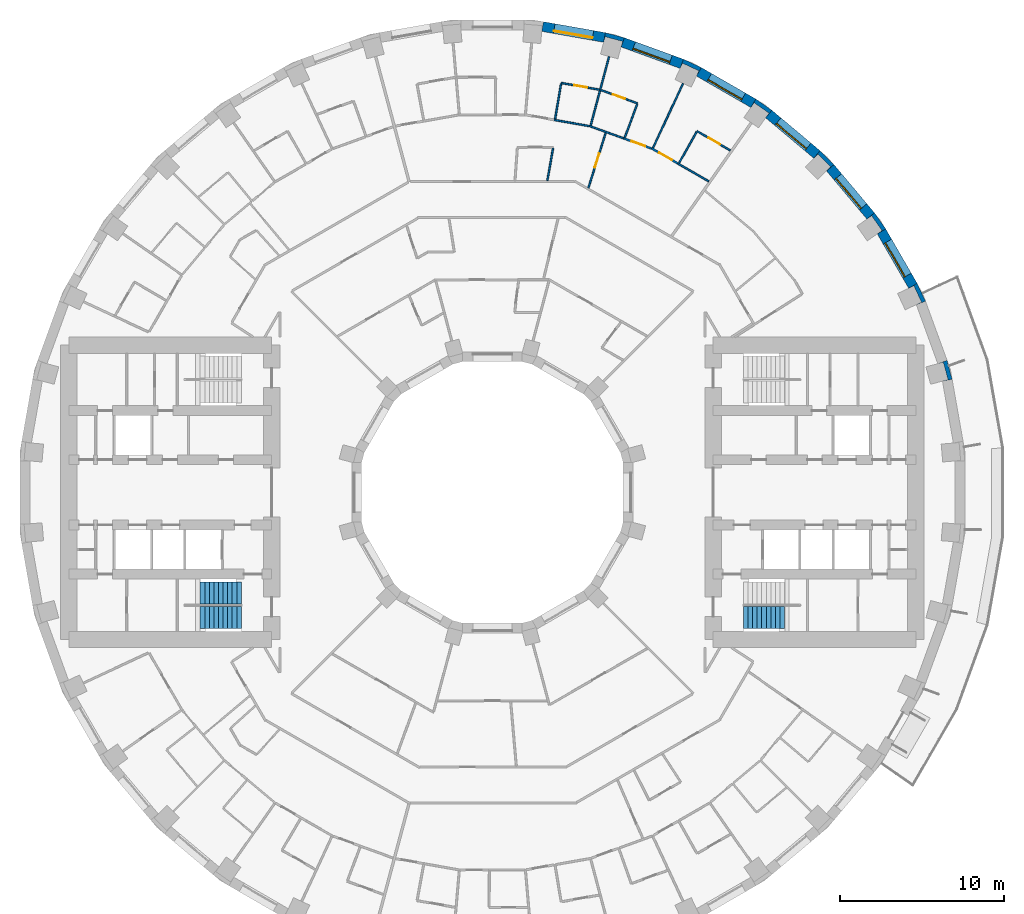
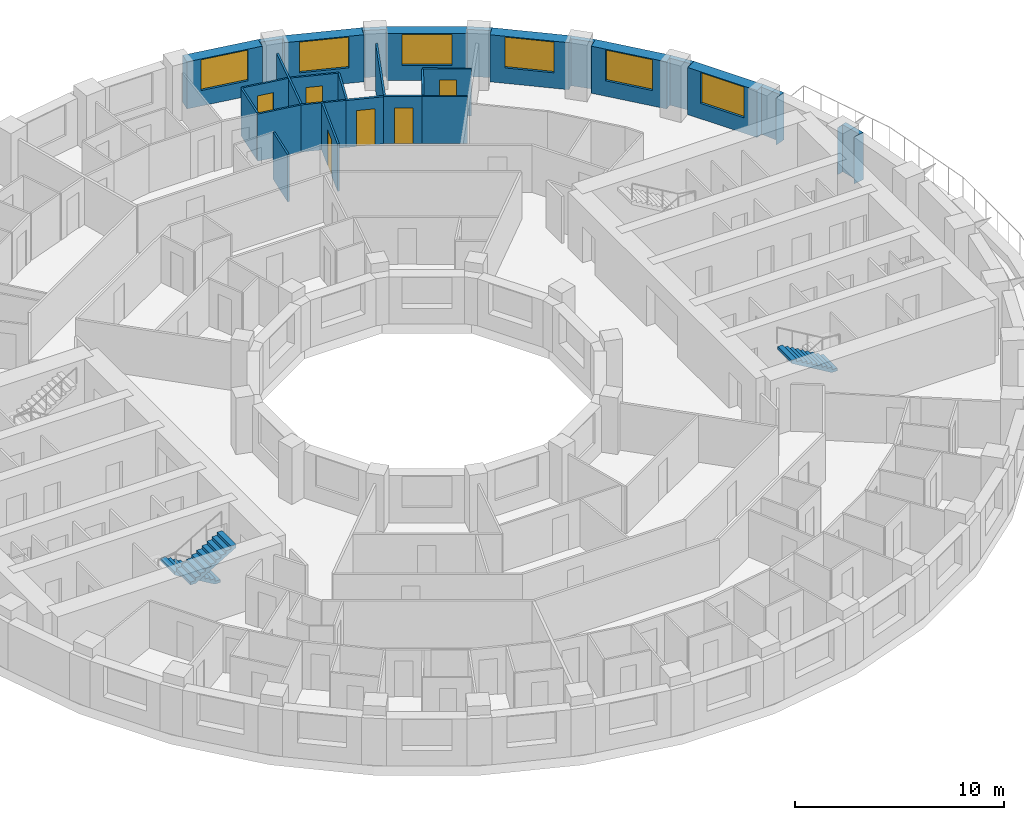
# One storey, part 12 of 14: 28 walls, 6 doors, 6 windows, 3 stair flights, 12 openings, 2 elements without a shape of their own.
"""IFC4 building model written with IfcOpenShell, lengths in metres."""

from ifc_helpers import new_model, si_unit, direction, frame, frame_2d, origin, place, context, subcontext, project, spatial, polyline, rectangle, outline, extrude, material, layer, layer_set, type_object, element, fill, aggregate, save


model = new_model("IFC4")

# Units and contexts
model_context = context("Model", 3, precision=1e-05, world=origin(), true_north=direction((0.0, 1.0)))
body_context = subcontext(model_context, "Body", "Model", "MODEL_VIEW")
ifc_project = project(units=[si_unit("LENGTHUNIT", "METRE"), si_unit("AREAUNIT", "SQUARE_METRE"), si_unit("VOLUMEUNIT", "CUBIC_METRE"), si_unit("PLANEANGLEUNIT", "RADIAN"), si_unit("MASSUNIT", "GRAM", prefix="KILO")], contexts=[model_context])

# Site, building, storey
site_placement = place(None, origin())
site = spatial("IfcSite", under=ifc_project, at=site_placement, CompositionType="ELEMENT")
building_placement = place(site_placement, origin())
building = spatial("IfcBuilding", under=site, at=building_placement, Name="Saqina Gate Tower", CompositionType="ELEMENT")
storey_placement = place(building_placement, frame((0.0, 0.0, 46.10009765625)))
storey = spatial("IfcBuildingStorey", under=building, at=storey_placement, Name="L12", CompositionType="ELEMENT", Elevation=46.10009765625)

# Walls
ifc_material_1 = material(Name="Brick masonry (red)", Category="masonry")
wall_type_1 = type_object("IfcWallType", Name="BRICK PIER COPING RED", PredefinedType="SOLIDWALL", material=ifc_material_1)
wall_1_placement = place(storey_placement, origin())
element("IfcWall", 1, at=wall_1_placement, inside=storey, type_object=wall_type_1, Name="Pier cap L12 column 2", PredefinedType="SOLIDWALL", context=body_context, shape_type="SweptSolid", body=[
    extrude(outline(polyline([(28.11669921875, 6.910400390625), (27.80517578125, 8.073974609375), (27.2412109375, 7.86865234375), (27.57958984375, 7.95947265625), (27.864501953125, 6.896728515625), (27.52587890625, 6.80615234375), (28.11669921875, 6.910400390625)])), origin(), (0.0, 0.0, 1.0), 2.75),
])
wall_2_placement = place(storey_placement, origin())
element("IfcWall", 2, at=wall_2_placement, inside=storey, type_object=wall_type_1, Name="Pier cap L12 column 3", PredefinedType="SOLIDWALL", context=body_context, shape_type="SweptSolid", body=[
    extrude(outline(polyline([(25.980712890625, 12.779541015625), (25.4609375, 12.4794921875), (25.778564453125, 12.627685546875), (26.243408203125, 11.630615234375), (25.92578125, 11.482666015625), (26.48974609375, 11.687744140625), (25.980712890625, 12.779541015625)])), origin(), (0.0, 0.0, 1.0), 2.75),
])
wall_3_placement = place(storey_placement, origin())
element("IfcWall", 3, at=wall_3_placement, inside=storey, type_object=wall_type_1, Name="Pier cap L12 column 4", PredefinedType="SOLIDWALL", context=body_context, shape_type="SweptSolid", body=[
    extrude(outline(polyline([(24.0576171875, 16.110107421875), (23.36669921875, 17.096923828125), (22.9072265625, 16.711181640625), (23.194091796875, 16.912109375), (23.8251953125, 16.010986328125), (23.5380859375, 15.81005859375), (24.0576171875, 16.110107421875)])), origin(), (0.0, 0.0, 1.0), 2.75),
])
wall_4_placement = place(storey_placement, origin())
element("IfcWall", 4, at=wall_4_placement, inside=storey, type_object=wall_type_1, Name="Pier cap L12 column 5", PredefinedType="SOLIDWALL", context=body_context, shape_type="SweptSolid", body=[
    extrude(outline(polyline([(20.04296875, 20.894775390625), (19.6572265625, 20.43505859375), (19.905029296875, 20.682861328125), (20.682861328125, 19.905029296875), (20.43505859375, 19.6572265625), (20.894775390625, 20.04296875), (20.04296875, 20.894775390625)])), origin(), (0.0, 0.0, 1.0), 2.75),
])
wall_5_placement = place(storey_placement, origin())
element("IfcWall", 5, at=wall_5_placement, inside=storey, type_object=wall_type_1, Name="Pier cap L12 column 6", PredefinedType="SOLIDWALL", context=body_context, shape_type="SweptSolid", body=[
    extrude(outline(polyline([(17.096923828125, 23.36669921875), (16.110107421875, 24.0576171875), (15.81005859375, 23.5380859375), (16.010986328125, 23.8251953125), (16.912109375, 23.194091796875), (16.711181640625, 22.9072265625), (17.096923828125, 23.36669921875)])), origin(), (0.0, 0.0, 1.0), 2.75),
])
wall_6_placement = place(storey_placement, origin())
element("IfcWall", 6, at=wall_6_placement, inside=storey, type_object=wall_type_1, Name="Pier cap L12 column 7", PredefinedType="SOLIDWALL", context=body_context, shape_type="SweptSolid", body=[
    extrude(outline(polyline([(11.687744140625, 26.48974609375), (11.482666015625, 25.92578125), (11.630615234375, 26.243408203125), (12.627685546875, 25.778564453125), (12.4794921875, 25.4609375), (12.779541015625, 25.980712890625), (11.687744140625, 26.48974609375)])), origin(), (0.0, 0.0, 1.0), 2.75),
])
wall_7_placement = place(storey_placement, origin())
element("IfcWall", 7, at=wall_7_placement, inside=storey, type_object=wall_type_1, Name="Pier cap L12 column 8", PredefinedType="SOLIDWALL", context=body_context, shape_type="SweptSolid", body=[
    extrude(outline(polyline([(6.910400390625, 28.11669921875), (6.80615234375, 27.52587890625), (6.896728515625, 27.864501953125), (7.95947265625, 27.57958984375), (7.86865234375, 27.2412109375), (8.073974609375, 27.80517578125), (6.910400390625, 28.11669921875)])), origin(), (0.0, 0.0, 1.0), 2.75),
])

# Wall, opening, window
ifc_material_2 = material(Name="Brick masonry (red)", Category="masonry")
ifc_layer_1 = layer(ifc_material_2, 0.60009765625)
ifc_layer_set_1 = layer_set([ifc_layer_1], Name="FW-BRICK-RED")
wall_type_2 = type_object("IfcWallType", Name="FW-BRICK-RED", PredefinedType="SOLIDWALL", material=ifc_layer_set_1)
wall_8_placement = place(storey_placement, frame((25.720703125, 12.629638671875, 0.0), z_axis=(0.0, 0.0, 1.0), x_axis=(-0.499989888488, 0.86603124159, 0.0)))
wall_8 = element("IfcWall", 8, at=wall_8_placement, inside=storey, type_object=wall_type_2, Name="Facade wall L12 facet 3", PredefinedType="SOLIDWALL", context=body_context, shape_type="SweptSolid", body=[
    extrude(rectangle(XDim=3.845703125, YDim=0.60009765625, at=frame_2d((1.9228515625, 0.0))), origin(), (0.0, 0.0, 1.0), 2.75),
])
opening_1_placement = place(wall_8_placement, frame((0.722900390625, 0.0, 0.89990234375)))
opening_1 = element("IfcOpeningElement", 9, at=opening_1_placement, cuts=wall_8, Name="Opening G03-W01", PredefinedType="OPENING", context=body_context, shape_type="SweptSolid", body=[
    extrude(rectangle(XDim=2.39990234375, YDim=1.800048828125, at=frame_2d((1.199951171875, 0.89990234375))), frame((0.0, 0.31201171875, 0.0), z_axis=(0.0, -1.0, 0.0), x_axis=(1.0, 0.0, 0.0)), (0.0, 0.0, 1.0), 0.6240234375),
])
ifc_material_3 = material(Name="Aluminium glazing", Category="aluminium")
window_type = type_object("IfcWindowType", Name="WN-A", PartitioningType="SINGLE_PANEL", PredefinedType="WINDOW", material=ifc_material_3)
window_1_placement = place(opening_1_placement, origin())
window_1 = element("IfcWindow", 10, at=window_1_placement, inside=storey, type_object=window_type, Name="Window L12 facet 3", OverallHeight=1.800048828125, OverallWidth=2.39990234375, PartitioningType="SINGLE_PANEL", PredefinedType="WINDOW", context=body_context, shape_type="SweptSolid", body=[
    extrude(rectangle(XDim=2.39990234375, YDim=1.800048828125, at=frame_2d((1.199951171875, 0.89990234375))), frame((0.0, 0.179931640625, 0.0), z_axis=(0.0, -1.0, 0.0), x_axis=(1.0, 0.0, 0.0)), (0.0, 0.0, 1.0), 0.06005859375),
])
fill(opening_1, window_1)

wall_9_placement = place(storey_placement, frame((23.136962890625, 16.904052734375, 0.0), z_axis=(0.0, 0.0, 1.0), x_axis=(-0.642809392687, 0.766026164483, 0.0)))
wall_9 = element("IfcWall", 11, at=wall_9_placement, inside=storey, type_object=wall_type_2, Name="Facade wall L12 facet 4", PredefinedType="SOLIDWALL", context=body_context, shape_type="SweptSolid", body=[
    extrude(rectangle(XDim=3.845947265625, YDim=0.60009765625, at=frame_2d((1.9228515625, 0.0))), origin(), (0.0, 0.0, 1.0), 2.75),
])
opening_2_placement = place(wall_9_placement, frame((0.722900390625, 0.0, 0.89990234375)))
opening_2 = element("IfcOpeningElement", 12, at=opening_2_placement, cuts=wall_9, Name="Opening G03-W02", PredefinedType="OPENING", context=body_context, shape_type="SweptSolid", body=[
    extrude(rectangle(XDim=2.39990234375, YDim=1.800048828125, at=frame_2d((1.199951171875, 0.89990234375))), frame((0.0, 0.31201171875, 0.0), z_axis=(0.0, -1.0, 0.0), x_axis=(1.0, 0.0, 0.0)), (0.0, 0.0, 1.0), 0.6240234375),
])
window_2_placement = place(opening_2_placement, origin())
window_2 = element("IfcWindow", 13, at=window_2_placement, inside=storey, type_object=window_type, Name="Window L12 facet 4", OverallHeight=1.800048828125, OverallWidth=2.39990234375, PartitioningType="SINGLE_PANEL", PredefinedType="WINDOW", context=body_context, shape_type="SweptSolid", body=[
    extrude(rectangle(XDim=2.39990234375, YDim=1.800048828125, at=frame_2d((1.199951171875, 0.89990234375))), frame((0.0, 0.179931640625, 0.0), z_axis=(0.0, -1.0, 0.0), x_axis=(1.0, 0.0, 0.0)), (0.0, 0.0, 1.0), 0.06005859375),
])
fill(opening_2, window_2)

wall_10_placement = place(storey_placement, frame((19.85009765625, 20.664794921875, 0.0), z_axis=(0.0, 0.0, 1.0), x_axis=(-0.766026164483, 0.642809392687, 0.0)))
wall_10 = element("IfcWall", 14, at=wall_10_placement, inside=storey, type_object=wall_type_2, Name="Facade wall L12 facet 5", PredefinedType="SOLIDWALL", context=body_context, shape_type="SweptSolid", body=[
    extrude(rectangle(XDim=3.845947265625, YDim=0.60009765625, at=frame_2d((1.9228515625, 0.0))), origin(), (0.0, 0.0, 1.0), 2.75),
])
opening_3_placement = place(wall_10_placement, frame((0.722900390625, 0.0, 0.89990234375)))
opening_3 = element("IfcOpeningElement", 15, at=opening_3_placement, cuts=wall_10, Name="Opening G03-W03", PredefinedType="OPENING", context=body_context, shape_type="SweptSolid", body=[
    extrude(rectangle(XDim=2.39990234375, YDim=1.800048828125, at=frame_2d((1.199951171875, 0.89990234375))), frame((0.0, 0.31201171875, 0.0), z_axis=(0.0, -1.0, 0.0), x_axis=(1.0, 0.0, 0.0)), (0.0, 0.0, 1.0), 0.6240234375),
])
window_3_placement = place(opening_3_placement, origin())
window_3 = element("IfcWindow", 16, at=window_3_placement, inside=storey, type_object=window_type, Name="Window L12 facet 5", OverallHeight=1.800048828125, OverallWidth=2.39990234375, PartitioningType="SINGLE_PANEL", PredefinedType="WINDOW", context=body_context, shape_type="SweptSolid", body=[
    extrude(rectangle(XDim=2.39990234375, YDim=1.800048828125, at=frame_2d((1.199951171875, 0.89990234375))), frame((0.0, 0.179931640625, 0.0), z_axis=(0.0, -1.0, 0.0), x_axis=(1.0, 0.0, 0.0)), (0.0, 0.0, 1.0), 0.06005859375),
])
fill(opening_3, window_3)

wall_11_placement = place(storey_placement, frame((15.960205078125, 23.7978515625, 0.0), z_axis=(0.0, 0.0, 1.0), x_axis=(-0.86603124159, 0.499989888488, 0.0)))
wall_11 = element("IfcWall", 17, at=wall_11_placement, inside=storey, type_object=wall_type_2, Name="Facade wall L12 facet 6", PredefinedType="SOLIDWALL", context=body_context, shape_type="SweptSolid", body=[
    extrude(rectangle(XDim=3.845703125, YDim=0.60009765625, at=frame_2d((1.9228515625, 0.0))), origin(), (0.0, 0.0, 1.0), 2.75),
])
opening_4_placement = place(wall_11_placement, frame((0.722900390625, 0.0, 0.89990234375)))
opening_4 = element("IfcOpeningElement", 18, at=opening_4_placement, cuts=wall_11, Name="Opening G03-W04", PredefinedType="OPENING", context=body_context, shape_type="SweptSolid", body=[
    extrude(rectangle(XDim=2.39990234375, YDim=1.800048828125, at=frame_2d((1.199951171875, 0.89990234375))), frame((0.0, 0.31201171875, 0.0), z_axis=(0.0, -1.0, 0.0), x_axis=(1.0, 0.0, 0.0)), (0.0, 0.0, 1.0), 0.6240234375),
])
window_4_placement = place(opening_4_placement, origin())
window_4 = element("IfcWindow", 19, at=window_4_placement, inside=storey, type_object=window_type, Name="Window L12 facet 6", OverallHeight=1.800048828125, OverallWidth=2.39990234375, PartitioningType="SINGLE_PANEL", PredefinedType="WINDOW", context=body_context, shape_type="SweptSolid", body=[
    extrude(rectangle(XDim=2.39990234375, YDim=1.800048828125, at=frame_2d((1.199951171875, 0.89990234375))), frame((0.0, 0.179931640625, 0.0), z_axis=(0.0, -1.0, 0.0), x_axis=(1.0, 0.0, 0.0)), (0.0, 0.0, 1.0), 0.06005859375),
])
fill(opening_4, window_4)

wall_12_placement = place(storey_placement, frame((11.585205078125, 26.207763671875, 0.0), z_axis=(0.0, 0.0, 1.0), x_axis=(-0.939689588564, 0.342028474173, 0.0)))
wall_12 = element("IfcWall", 20, at=wall_12_placement, inside=storey, type_object=wall_type_2, Name="Facade wall L12 facet 7", PredefinedType="SOLIDWALL", context=body_context, shape_type="SweptSolid", body=[
    extrude(rectangle(XDim=3.845947265625, YDim=0.60009765625, at=frame_2d((1.9228515625, 0.0))), origin(), (0.0, 0.0, 1.0), 2.75),
])
opening_5_placement = place(wall_12_placement, frame((0.722900390625, 0.0, 0.89990234375)))
opening_5 = element("IfcOpeningElement", 21, at=opening_5_placement, cuts=wall_12, Name="Opening G03-W05", PredefinedType="OPENING", context=body_context, shape_type="SweptSolid", body=[
    extrude(rectangle(XDim=2.39990234375, YDim=1.800048828125, at=frame_2d((1.199951171875, 0.89990234375))), frame((0.0, 0.31201171875, 0.0), z_axis=(0.0, -1.0, 0.0), x_axis=(1.0, 0.0, 0.0)), (0.0, 0.0, 1.0), 0.6240234375),
])
window_5_placement = place(opening_5_placement, origin())
window_5 = element("IfcWindow", 22, at=window_5_placement, inside=storey, type_object=window_type, Name="Window L12 facet 7", OverallHeight=1.800048828125, OverallWidth=2.39990234375, PartitioningType="SINGLE_PANEL", PredefinedType="WINDOW", context=body_context, shape_type="SweptSolid", body=[
    extrude(rectangle(XDim=2.39990234375, YDim=1.800048828125, at=frame_2d((1.199951171875, 0.89990234375))), frame((0.0, 0.179931640625, 0.0), z_axis=(0.0, -1.0, 0.0), x_axis=(1.0, 0.0, 0.0)), (0.0, 0.0, 1.0), 0.06005859375),
])
fill(opening_5, window_5)

wall_13_placement = place(storey_placement, frame((6.858154296875, 27.8212890625, 0.0), z_axis=(0.0, 0.0, 1.0), x_axis=(-0.984800809218, 0.173687553279, 0.0)))
wall_13 = element("IfcWall", 23, at=wall_13_placement, inside=storey, type_object=wall_type_2, Name="Facade wall L12 facet 8", PredefinedType="SOLIDWALL", context=body_context, shape_type="SweptSolid", body=[
    extrude(rectangle(XDim=3.845703125, YDim=0.60009765625, at=frame_2d((1.9228515625, 0.0))), origin(), (0.0, 0.0, 1.0), 2.75),
])
opening_6_placement = place(wall_13_placement, frame((0.722900390625, 0.0, 0.89990234375)))
opening_6 = element("IfcOpeningElement", 24, at=opening_6_placement, cuts=wall_13, Name="Opening G03-W06", PredefinedType="OPENING", context=body_context, shape_type="SweptSolid", body=[
    extrude(rectangle(XDim=2.39990234375, YDim=1.800048828125, at=frame_2d((1.199951171875, 0.89990234375))), frame((0.0, 0.31201171875, 0.0), z_axis=(0.0, -1.0, 0.0), x_axis=(1.0, 0.0, 0.0)), (0.0, 0.0, 1.0), 0.6240234375),
])
window_6_placement = place(opening_6_placement, origin())
window_6 = element("IfcWindow", 25, at=window_6_placement, inside=storey, type_object=window_type, Name="Window L12 facet 8", OverallHeight=1.800048828125, OverallWidth=2.39990234375, PartitioningType="SINGLE_PANEL", PredefinedType="WINDOW", context=body_context, shape_type="SweptSolid", body=[
    extrude(rectangle(XDim=2.39990234375, YDim=1.800048828125, at=frame_2d((1.199951171875, 0.89990234375))), frame((0.0, 0.179931640625, 0.0), z_axis=(0.0, -1.0, 0.0), x_axis=(1.0, 0.0, 0.0)), (0.0, 0.0, 1.0), 0.06005859375),
])
fill(opening_6, window_6)

# Wall
ifc_material_4 = material(Name="Gypsum board on steel studs, 100 mm", Category="steel")
ifc_layer_2 = layer(ifc_material_4, 0.10009765625)
ifc_layer_set_2 = layer_set([ifc_layer_2], Name="PARTITION 100")
wall_type_3 = type_object("IfcWallType", Name="PARTITION 100", PredefinedType="PARTITIONING", material=ifc_layer_set_2)
wall_14_placement = place(storey_placement, frame((11.341796875, 20.114013671875, 0.0), z_axis=(0.0, 0.0, 1.0), x_axis=(0.865827333674, -0.500342910675, 0.0)))
element("IfcWall", 26, at=wall_14_placement, inside=storey, type_object=wall_type_3, Name="PARTITION PW3-50", PredefinedType="PARTITIONING", context=body_context, shape_type="SweptSolid", body=[
    extrude(rectangle(XDim=2.1796875, YDim=0.10009765625, at=frame_2d((1.08984375, 0.0))), origin(), (0.0, 0.0, 1.0), 2.75),
])

# Wall, opening, door
wall_15_placement = place(storey_placement, frame((12.51904296875, 22.090087890625, 0.0), z_axis=(0.0, 0.0, 1.0), x_axis=(0.865796038429, -0.500397062182, 0.0)))
wall_15 = element("IfcWall", 27, at=wall_15_placement, inside=storey, type_object=wall_type_3, Name="PARTITION PW3-51", PredefinedType="PARTITIONING", context=body_context, shape_type="SweptSolid", body=[
    extrude(rectangle(XDim=2.34912109375, YDim=0.10009765625, at=frame_2d((1.174560546875, 0.0))), origin(), (0.0, 0.0, 1.0), 2.75),
])
opening_7_placement = place(wall_15_placement, frame((0.81201171875, 0.0, 0.0)))
opening_7 = element("IfcOpeningElement", 28, at=opening_7_placement, cuts=wall_15, Name="Opening G03-D05", PredefinedType="OPENING", context=body_context, shape_type="SweptSolid", body=[
    extrude(rectangle(XDim=0.800048828125, YDim=2.10009765625, at=frame_2d((0.39990234375, 1.050048828125))), frame((0.0, 0.06201171875, 0.0), z_axis=(0.0, -1.0, 0.0), x_axis=(1.0, 0.0, 0.0)), (0.0, 0.0, 1.0), 0.1240234375),
])
ifc_material_5 = material(Name="Timber door leaf, 800 mm", Category="wood")
door_type_1 = type_object("IfcDoorType", Name="DOOR 800 TIMBER", OperationType="SINGLE_SWING_LEFT", PredefinedType="DOOR", material=ifc_material_5)
door_1_placement = place(opening_7_placement, origin())
door_1 = element("IfcDoor", 29, at=door_1_placement, inside=storey, type_object=door_type_1, Name="DOOR G03-D05", OperationType="SINGLE_SWING_RIGHT", OverallHeight=2.10009765625, OverallWidth=0.800048828125, PredefinedType="DOOR", context=body_context, shape_type="SweptSolid", body=[
    extrude(rectangle(XDim=0.800048828125, YDim=2.10009765625, at=frame_2d((0.39990234375, 1.050048828125))), frame((0.0, 0.02490234375, 0.0), z_axis=(0.0, -1.0, 0.0), x_axis=(1.0, 0.0, 0.0)), (0.0, 0.0, 1.0), 0.050048828125),
])
fill(opening_7, door_1)

# Wall
wall_16_placement = place(storey_placement, frame((5.951171875, 22.4052734375, 0.0), z_axis=(0.0, 0.0, 1.0), x_axis=(0.939715397741, -0.341957557671, 0.0)))
element("IfcWall", 30, at=wall_16_placement, inside=storey, type_object=wall_type_3, Name="PARTITION PW3-55", PredefinedType="PARTITIONING", context=body_context, shape_type="SweptSolid", body=[
    extrude(rectangle(XDim=2.193359375, YDim=0.10009765625, at=frame_2d((1.0966796875, 0.0))), origin(), (0.0, 0.0, 1.0), 2.75),
])

# Wall, opening, door
wall_17_placement = place(storey_placement, frame((6.64306640625, 24.600830078125, 0.0), z_axis=(0.0, 0.0, 1.0), x_axis=(0.939772412057, -0.341800838995, 0.0)))
wall_17 = element("IfcWall", 31, at=wall_17_placement, inside=storey, type_object=wall_type_3, Name="PARTITION PW3-56", PredefinedType="PARTITIONING", context=body_context, shape_type="SweptSolid", body=[
    extrude(rectangle(XDim=2.375, YDim=0.10009765625, at=frame_2d((1.1875, 0.0))), origin(), (0.0, 0.0, 1.0), 2.75),
])
opening_8_placement = place(wall_17_placement, frame((0.762451171875, 0.0, 0.0)))
opening_8 = element("IfcOpeningElement", 32, at=opening_8_placement, cuts=wall_17, Name="Opening G03-D09", PredefinedType="OPENING", context=body_context, shape_type="SweptSolid", body=[
    extrude(rectangle(XDim=0.800048828125, YDim=2.10009765625, at=frame_2d((0.39990234375, 1.050048828125))), frame((0.0, 0.06201171875, 0.0), z_axis=(0.0, -1.0, 0.0), x_axis=(1.0, 0.0, 0.0)), (0.0, 0.0, 1.0), 0.1240234375),
])
door_2_placement = place(opening_8_placement, origin())
door_2 = element("IfcDoor", 33, at=door_2_placement, inside=storey, type_object=door_type_1, Name="DOOR G03-D09", OperationType="SINGLE_SWING_LEFT", OverallHeight=2.10009765625, OverallWidth=0.800048828125, PredefinedType="DOOR", context=body_context, shape_type="SweptSolid", body=[
    extrude(rectangle(XDim=0.800048828125, YDim=2.10009765625, at=frame_2d((0.39990234375, 1.050048828125))), frame((0.0, 0.02490234375, 0.0), z_axis=(0.0, -1.0, 0.0), x_axis=(1.0, 0.0, 0.0)), (0.0, 0.0, 1.0), 0.050048828125),
])
fill(opening_8, door_2)

# Wall
wall_18_placement = place(storey_placement, frame((3.77783203125, 22.77978515625, 0.0), z_axis=(0.0, 0.0, 1.0), x_axis=(0.984800270927, -0.173690605338, 0.0)))
element("IfcWall", 34, at=wall_18_placement, inside=storey, type_object=wall_type_3, Name="PARTITION PW3-59", PredefinedType="PARTITIONING", context=body_context, shape_type="SweptSolid", body=[
    extrude(rectangle(XDim=2.205322265625, YDim=0.10009765625, at=frame_2d((1.1025390625, 0.0))), origin(), (0.0, 0.0, 1.0), 2.75),
])

# Wall, opening, door
wall_19_placement = place(storey_placement, frame((4.2080078125, 25.0390625, 0.0), z_axis=(0.0, 0.0, 1.0), x_axis=(0.984811488016, -0.173626994077, 0.0)))
wall_19 = element("IfcWall", 35, at=wall_19_placement, inside=storey, type_object=wall_type_3, Name="PARTITION PW3-60", PredefinedType="PARTITIONING", context=body_context, shape_type="SweptSolid", body=[
    extrude(rectangle(XDim=2.375, YDim=0.10009765625, at=frame_2d((1.1875, 0.0))), origin(), (0.0, 0.0, 1.0), 2.75),
])
opening_9_placement = place(wall_19_placement, frame((0.8125, 0.0, 0.0)))
opening_9 = element("IfcOpeningElement", 36, at=opening_9_placement, cuts=wall_19, Name="Opening G03-D12", PredefinedType="OPENING", context=body_context, shape_type="SweptSolid", body=[
    extrude(rectangle(XDim=0.800048828125, YDim=2.10009765625, at=frame_2d((0.39990234375, 1.050048828125))), frame((0.0, 0.06201171875, 0.0), z_axis=(0.0, -1.0, 0.0), x_axis=(1.0, 0.0, 0.0)), (0.0, 0.0, 1.0), 0.1240234375),
])
door_3_placement = place(opening_9_placement, origin())
door_3 = element("IfcDoor", 37, at=door_3_placement, inside=storey, type_object=door_type_1, Name="DOOR G03-D12", OperationType="SINGLE_SWING_RIGHT", OverallHeight=2.10009765625, OverallWidth=0.800048828125, PredefinedType="DOOR", context=body_context, shape_type="SweptSolid", body=[
    extrude(rectangle(XDim=0.800048828125, YDim=2.10009765625, at=frame_2d((0.39990234375, 1.050048828125))), frame((0.0, 0.02490234375, 0.0), z_axis=(0.0, -1.0, 0.0), x_axis=(1.0, 0.0, 0.0)), (0.0, 0.0, 1.0), 0.050048828125),
])
fill(opening_9, door_3)

# Walls
wall_20_placement = place(storey_placement, frame((11.415771484375, 20.143310546875, 0.0), z_axis=(0.0, 0.0, 1.0), x_axis=(0.493082970536, 0.869982289571, 0.0)))
element("IfcWall", 38, at=wall_20_placement, inside=storey, type_object=wall_type_3, Name="PARTITION PW3-111", PredefinedType="PARTITIONING", context=body_context, shape_type="SweptSolid", body=[
    extrude(rectangle(XDim=2.1875, YDim=0.10009765625, at=frame_2d((1.09375, 0.0))), origin(), (0.0, 0.0, 1.0), 2.75),
])
wall_21_placement = place(storey_placement, frame((9.821533203125, 21.062744140625, 0.0), z_axis=(0.0, 0.0, 1.0), x_axis=(0.422575107016, 0.906327909164, 0.0)))
element("IfcWall", 39, at=wall_21_placement, inside=storey, type_object=wall_type_3, Name="PARTITION PW3-113", PredefinedType="PARTITIONING", context=body_context, shape_type="SweptSolid", body=[
    extrude(rectangle(XDim=4.349853515625, YDim=0.10009765625, at=frame_2d((2.1748046875, 0.0))), origin(), (0.0, 0.0, 1.0), 2.75),
])
wall_22_placement = place(storey_placement, frame((8.0927734375, 21.692626953125, 0.0), z_axis=(0.0, 0.0, 1.0), x_axis=(0.349545192277, 0.936919504843, 0.0)))
element("IfcWall", 40, at=wall_22_placement, inside=storey, type_object=wall_type_3, Name="PARTITION PW3-115", PredefinedType="PARTITIONING", context=body_context, shape_type="SweptSolid", body=[
    extrude(rectangle(XDim=2.1875, YDim=0.10009765625, at=frame_2d((1.09375, 0.0))), origin(), (0.0, 0.0, 1.0), 2.75),
])

# Wall, opening, door
wall_23_placement = place(storey_placement, frame((5.870849609375, 18.62060546875, 0.0), z_axis=(0.0, 0.0, 1.0), x_axis=(0.300843987317, 0.953673369291, 0.0)))
wall_23 = element("IfcWall", 41, at=wall_23_placement, inside=storey, type_object=wall_type_3, Name="PARTITION PW3-117", PredefinedType="PARTITIONING", context=body_context, shape_type="SweptSolid", body=[
    extrude(rectangle(XDim=3.537353515625, YDim=0.10009765625, at=frame_2d((1.7685546875, 0.0))), origin(), (0.0, 0.0, 1.0), 2.75),
])
opening_10_placement = place(wall_23_placement, frame((1.3125, 0.0, 0.0)))
opening_10 = element("IfcOpeningElement", 42, at=opening_10_placement, cuts=wall_23, Name="Opening G03-D10", PredefinedType="OPENING", context=body_context, shape_type="SweptSolid", body=[
    extrude(rectangle(XDim=0.89990234375, YDim=2.10009765625, at=frame_2d((0.449951171875, 1.050048828125))), frame((0.0, 0.06201171875, 0.0), z_axis=(0.0, -1.0, 0.0), x_axis=(1.0, 0.0, 0.0)), (0.0, 0.0, 1.0), 0.1240234375),
])
ifc_material_6 = material(Name="Timber door leaf, 900 mm", Category="wood")
door_type_2 = type_object("IfcDoorType", Name="DOOR 900 TIMBER", OperationType="SINGLE_SWING_LEFT", PredefinedType="DOOR", material=ifc_material_6)
door_4_placement = place(opening_10_placement, origin())
door_4 = element("IfcDoor", 43, at=door_4_placement, inside=storey, type_object=door_type_2, Name="DOOR G03-D10", OperationType="SINGLE_SWING_LEFT", OverallHeight=2.10009765625, OverallWidth=0.89990234375, PredefinedType="DOOR", context=body_context, shape_type="SweptSolid", body=[
    extrude(rectangle(XDim=0.89990234375, YDim=2.10009765625, at=frame_2d((0.449951171875, 1.050048828125))), frame((0.0, 0.02490234375, 0.0), z_axis=(0.0, -1.0, 0.0), x_axis=(1.0, 0.0, 0.0)), (0.0, 0.0, 1.0), 0.050048828125),
])
fill(opening_10, door_4)

# Walls
wall_24_placement = place(storey_placement, frame((6.011962890625, 22.436279296875, 0.0), z_axis=(0.0, 0.0, 1.0), x_axis=(0.258174675421, 0.966098254305, 0.0)))
element("IfcWall", 44, at=wall_24_placement, inside=storey, type_object=wall_type_3, Name="PARTITION PW3-120", PredefinedType="PARTITIONING", context=body_context, shape_type="SweptSolid", body=[
    extrude(rectangle(XDim=4.3623046875, YDim=0.10009765625, at=frame_2d((2.18115234375, 0.0))), origin(), (0.0, 0.0, 1.0), 2.75),
])
wall_25_placement = place(storey_placement, frame((3.36083984375, 19.0615234375, 0.0), z_axis=(0.0, 0.0, 1.0), x_axis=(0.173564686846, 0.984822471047, 0.0)))
element("IfcWall", 45, at=wall_25_placement, inside=storey, type_object=wall_type_3, Name="PARTITION PW3-123", PredefinedType="PARTITIONING", context=body_context, shape_type="SweptSolid", body=[
    extrude(rectangle(XDim=2.02001953125, YDim=0.10009765625, at=frame_2d((1.010009765625, 0.0))), origin(), (0.0, 0.0, 1.0), 2.75),
])
wall_26_placement = place(storey_placement, frame((3.83740234375, 22.83251953125, 0.0), z_axis=(0.0, 0.0, 1.0), x_axis=(0.165629588415, 0.986188034526, 0.0)))
element("IfcWall", 46, at=wall_26_placement, inside=storey, type_object=wall_type_3, Name="PARTITION PW3-124", PredefinedType="PARTITIONING", context=body_context, shape_type="SweptSolid", body=[
    extrude(rectangle(XDim=2.1875, YDim=0.10009765625, at=frame_2d((1.09375, 0.0))), origin(), (0.0, 0.0, 1.0), 2.75),
])

# Wall, opening, door
ifc_material_7 = material(Name="Gypsum board on steel studs, 125 mm, fire rated", Category="steel")
ifc_layer_3 = layer(ifc_material_7, 0.125)
ifc_layer_set_3 = layer_set([ifc_layer_3], Name="PARTITION EI 30 125")
wall_type_4 = type_object("IfcWallType", Name="PARTITION EI 30 125", PredefinedType="PARTITIONING", material=ifc_layer_set_3)
wall_27_placement = place(storey_placement, frame((9.739990234375, 21.03759765625, 0.0), z_axis=(0.0, 0.0, 1.0), x_axis=(0.866310857082, -0.499505254129, 0.0)))
wall_27 = element("IfcWall", 47, at=wall_27_placement, inside=storey, type_object=wall_type_4, Name="PARTITION PW1-18", PredefinedType="PARTITIONING", context=body_context, shape_type="SweptSolid", body=[
    extrude(rectangle(XDim=1.848876953125, YDim=0.125, at=frame_2d((0.92431640625, 0.0))), origin(), (0.0, 0.0, 1.0), 2.75),
])
opening_11_placement = place(wall_27_placement, frame((0.53125, 0.0, 0.0)))
opening_11 = element("IfcOpeningElement", 48, at=opening_11_placement, cuts=wall_27, Name="Opening G03-D06", PredefinedType="OPENING", context=body_context, shape_type="SweptSolid", body=[
    extrude(rectangle(XDim=0.89990234375, YDim=2.10009765625, at=frame_2d((0.449951171875, 1.050048828125))), frame((0.0, 0.074462890625, 0.0), z_axis=(0.0, -1.0, 0.0), x_axis=(1.0, 0.0, 0.0)), (0.0, 0.0, 1.0), 0.14892578125),
])
ifc_material_8 = material(Name="Fire door leaf EI 30, 900 mm")
door_type_3 = type_object("IfcDoorType", Name="DOOR 900 EI 30", OperationType="SINGLE_SWING_LEFT", PredefinedType="DOOR", material=ifc_material_8)
door_5_placement = place(opening_11_placement, frame((0.89990234375, 0.0, 0.0), z_axis=(0.0, 0.0, 1.0), x_axis=(-1.0, 0.0, 0.0)))
door_5 = element("IfcDoor", 49, at=door_5_placement, inside=storey, type_object=door_type_3, Name="DOOR G03-D06", OperationType="SINGLE_SWING_RIGHT", OverallHeight=2.10009765625, OverallWidth=0.89990234375, PredefinedType="DOOR", context=body_context, shape_type="SweptSolid", body=[
    extrude(rectangle(XDim=0.89990234375, YDim=2.10009765625, at=frame_2d((0.449951171875, 1.050048828125))), frame((0.0, 0.02490234375, 0.0), z_axis=(0.0, -1.0, 0.0), x_axis=(1.0, 0.0, 0.0)), (0.0, 0.0, 1.0), 0.050048828125),
])
fill(opening_11, door_5)

wall_28_placement = place(storey_placement, frame((8.01220703125, 21.655517578125, 0.0), z_axis=(0.0, 0.0, 1.0), x_axis=(0.939291312795, -0.34312072177, 0.0)))
wall_28 = element("IfcWall", 50, at=wall_28_placement, inside=storey, type_object=wall_type_4, Name="PARTITION PW1-20", PredefinedType="PARTITIONING", context=body_context, shape_type="SweptSolid", body=[
    extrude(rectangle(XDim=1.8349609375, YDim=0.125, at=frame_2d((0.91748046875, 0.0))), origin(), (0.0, 0.0, 1.0), 2.75),
])
opening_12_placement = place(wall_28_placement, frame((0.52978515625, 0.0, 0.0)))
opening_12 = element("IfcOpeningElement", 51, at=opening_12_placement, cuts=wall_28, Name="Opening G03-D08", PredefinedType="OPENING", context=body_context, shape_type="SweptSolid", body=[
    extrude(rectangle(XDim=0.89990234375, YDim=2.10009765625, at=frame_2d((0.449951171875, 1.050048828125))), frame((0.0, 0.074462890625, 0.0), z_axis=(0.0, -1.0, 0.0), x_axis=(1.0, 0.0, 0.0)), (0.0, 0.0, 1.0), 0.14892578125),
])
door_6_placement = place(opening_12_placement, frame((0.89990234375, 0.0, 0.0), z_axis=(0.0, 0.0, 1.0), x_axis=(-1.0, 0.0, 0.0)))
door_6 = element("IfcDoor", 52, at=door_6_placement, inside=storey, type_object=door_type_3, Name="DOOR G03-D08", OperationType="SINGLE_SWING_LEFT", OverallHeight=2.10009765625, OverallWidth=0.89990234375, PredefinedType="DOOR", context=body_context, shape_type="SweptSolid", body=[
    extrude(rectangle(XDim=0.89990234375, YDim=2.10009765625, at=frame_2d((0.449951171875, 1.050048828125))), frame((0.0, 0.02490234375, 0.0), z_axis=(0.0, -1.0, 0.0), x_axis=(1.0, 0.0, 0.0)), (0.0, 0.0, 1.0), 0.050048828125),
])
fill(opening_12, door_6)

# Stair, stair flight
ifc_material_9 = material(Name="Concrete C40/50", Category="concrete")
stair_type = type_object("IfcStairType", Name="EXIT STAIR", PredefinedType="HALF_TURN_STAIR", material=ifc_material_9)
stair_1_placement = place(storey_placement, origin())
stair_1 = element("IfcStair", 53, at=stair_1_placement, inside=storey, type_object=stair_type, Name="EXIT STAIR 2", PredefinedType="HALF_TURN_STAIR")
ifc_material_10 = material(Name="Concrete C40/50", Category="concrete")
stair_flight_type = type_object("IfcStairFlightType", Name="EXIT STAIR FLIGHT", PredefinedType="STRAIGHT", material=ifc_material_10)
stair_flight_1_placement = place(storey_placement, frame((17.8701171875, -7.658447265625, 1.64990234375), z_axis=(0.0, 0.0, 1.0), x_axis=(-1.0, 0.0, 0.0)))
stair_flight_1 = element("IfcStairFlight", 54, at=stair_flight_1_placement, type_object=stair_flight_type, Name="EXIT STAIR 2 FLIGHT 2", NumberOfRisers=10, NumberOfTreads=9, PredefinedType="STRAIGHT", RiserHeight=0.165, TreadLength=0.28, context=body_context, shape_type="SweptSolid", body=[
    extrude(outline(polyline([(0.0, 0.0), (0.0, 0.1650390625), (0.280029296875, 0.1650390625), (0.280029296875, 0.330078125), (0.56005859375, 0.330078125), (0.56005859375, 0.4951171875), (0.840087890625, 0.4951171875), (0.840087890625, 0.659912109375), (1.1201171875, 0.659912109375), (1.1201171875, 0.824951171875), (1.39990234375, 0.824951171875), (1.39990234375, 0.989990234375), (1.679931640625, 0.989990234375), (1.679931640625, 1.155029296875), (1.9599609375, 1.155029296875), (1.9599609375, 1.320068359375), (2.239990234375, 1.320068359375), (2.239990234375, 1.485107421875), (2.52001953125, 1.485107421875), (2.52001953125, 1.64990234375), (2.52001953125, 1.31103515625), (0.295166015625, 0.0), (0.0, 0.0)])), frame((0.0, 0.675048828125, 0.0), z_axis=(0.0, -1.0, 0.0), x_axis=(1.0, 0.0, 0.0)), (0.0, 0.0, 1.0), 1.35009765625),
])
aggregate(stair_1, [stair_flight_1])

# Stair, stair flights
stair_2_placement = place(storey_placement, origin())
stair_2 = element("IfcStair", 55, at=stair_2_placement, inside=storey, type_object=stair_type, Name="EXIT STAIR 4", PredefinedType="HALF_TURN_STAIR")
stair_flight_2_placement = place(storey_placement, frame((-15.35009765625, -6.1416015625, 0.0), z_axis=(0.0, 0.0, 1.0), x_axis=(-1.0, 0.0, 0.0)))
stair_flight_2 = element("IfcStairFlight", 56, at=stair_flight_2_placement, type_object=stair_flight_type, Name="EXIT STAIR 4 FLIGHT 1", NumberOfRisers=10, NumberOfTreads=9, PredefinedType="STRAIGHT", RiserHeight=0.165, TreadLength=0.28, context=body_context, shape_type="SweptSolid", body=[
    extrude(outline(polyline([(0.0, 0.0), (0.0, 0.1650390625), (0.280029296875, 0.1650390625), (0.280029296875, 0.330078125), (0.56005859375, 0.330078125), (0.56005859375, 0.4951171875), (0.840087890625, 0.4951171875), (0.840087890625, 0.659912109375), (1.1201171875, 0.659912109375), (1.1201171875, 0.824951171875), (1.39990234375, 0.824951171875), (1.39990234375, 0.989990234375), (1.679931640625, 0.989990234375), (1.679931640625, 1.155029296875), (1.9599609375, 1.155029296875), (1.9599609375, 1.320068359375), (2.239990234375, 1.320068359375), (2.239990234375, 1.485107421875), (2.52001953125, 1.485107421875), (2.52001953125, 1.64990234375), (2.52001953125, 1.31103515625), (0.295166015625, 0.0), (0.0, 0.0)])), frame((0.0, 0.675048828125, 0.0), z_axis=(0.0, -1.0, 0.0), x_axis=(1.0, 0.0, 0.0)), (0.0, 0.0, 1.0), 1.35009765625),
])
stair_flight_3_placement = place(storey_placement, frame((-17.8701171875, -7.658447265625, 1.64990234375), z_axis=(0.0, 0.0, 1.0), x_axis=(1.0, 0.0, 0.0)))
stair_flight_3 = element("IfcStairFlight", 57, at=stair_flight_3_placement, type_object=stair_flight_type, Name="EXIT STAIR 4 FLIGHT 2", NumberOfRisers=10, NumberOfTreads=9, PredefinedType="STRAIGHT", RiserHeight=0.165, TreadLength=0.28, context=body_context, shape_type="SweptSolid", body=[
    extrude(outline(polyline([(0.0, 0.0), (0.0, 0.1650390625), (0.280029296875, 0.1650390625), (0.280029296875, 0.330078125), (0.56005859375, 0.330078125), (0.56005859375, 0.4951171875), (0.840087890625, 0.4951171875), (0.840087890625, 0.659912109375), (1.1201171875, 0.659912109375), (1.1201171875, 0.824951171875), (1.39990234375, 0.824951171875), (1.39990234375, 0.989990234375), (1.679931640625, 0.989990234375), (1.679931640625, 1.155029296875), (1.9599609375, 1.155029296875), (1.9599609375, 1.320068359375), (2.239990234375, 1.320068359375), (2.239990234375, 1.485107421875), (2.52001953125, 1.485107421875), (2.52001953125, 1.64990234375), (2.52001953125, 1.31103515625), (0.295166015625, 0.0), (0.0, 0.0)])), frame((0.0, 0.675048828125, 0.0), z_axis=(0.0, -1.0, 0.0), x_axis=(1.0, 0.0, 0.0)), (0.0, 0.0, 1.0), 1.35009765625),
])
aggregate(stair_2, [stair_flight_2, stair_flight_3])

save(model, "model.ifc")
